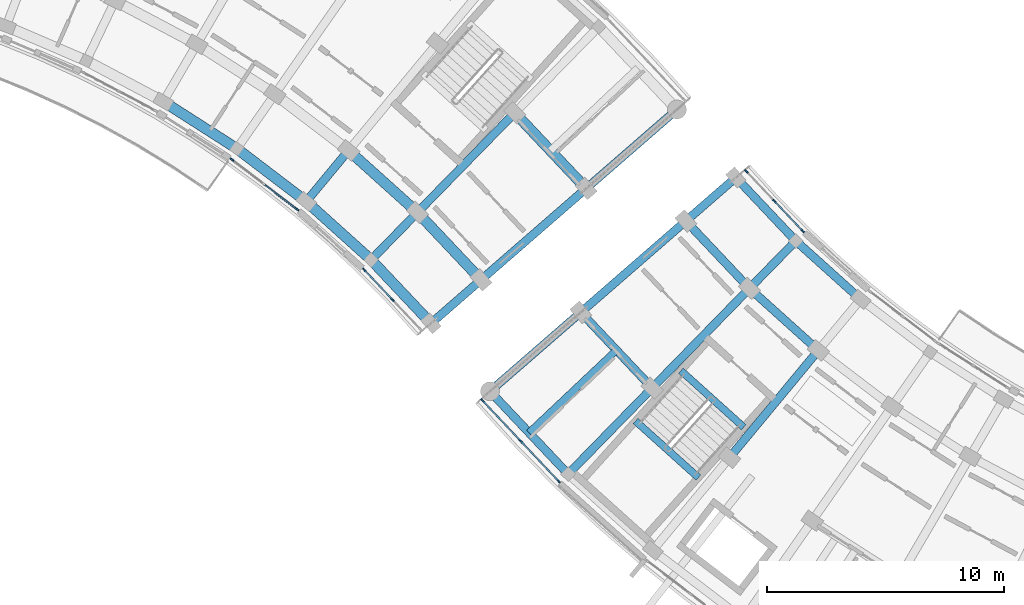
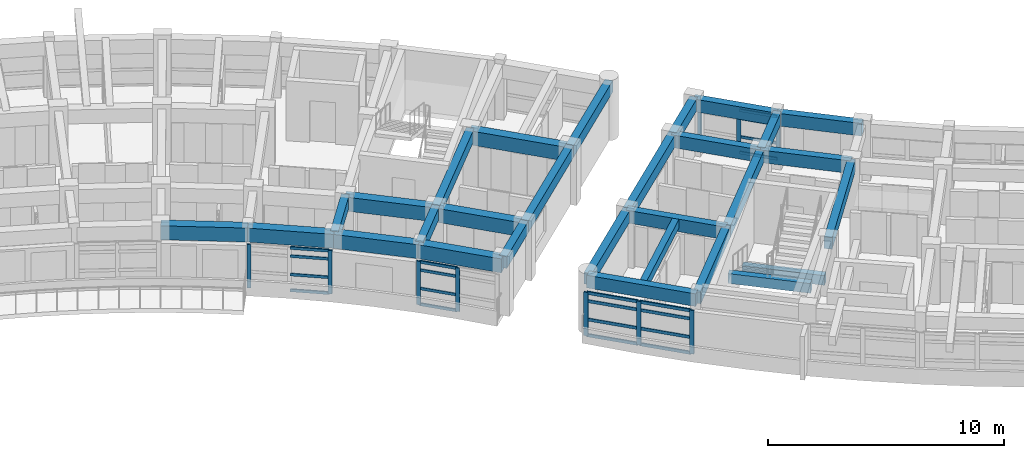
# One storey, part 10 of 56: 30 members, 29 beams, 4 elements without a shape of their own.
"""IFC4 building model written with IfcOpenShell, lengths in metres."""

import ifcopenshell
import ifcopenshell.guid

model = None  # the IFC model being written
_history = None  # IfcOwnerHistory: only IFC2X3 demands one
_inside = {}  # id of a spatial element -> (the spatial element, [elements in it])
_under = {}  # id of a project, library or spatial element -> (it, [spatial elements below it])
_declared = {}  # id of a project -> (the project, [libraries it declares])
_typed = {}  # id of a type object -> (the type object, [elements of that type])
_made_of = {}  # id of a material, layer set ... -> (it, [elements and type objects made of it])


def new_model(schema):
    """Start an empty IFC model of exactly this schema.

    Asked for "IFC4X3", IfcOpenShell would pick the latest addendum, in which some entities
    have other attributes; the version numbers below select the first issue.
    IFC2X3 requires an IfcOwnerHistory on every rooted entity: one is made here for all.
    """
    global model, _history
    if schema == "IFC4X3":
        model = ifcopenshell.file(schema_version=(4, 3, 0, 0))
    else:
        model = ifcopenshell.file(schema=schema)
    _inside.clear()
    _under.clear()
    _declared.clear()
    _typed.clear()
    _made_of.clear()
    _history = None
    if model.schema == "IFC2X3":
        org = make("IfcOrganization", Name="unknown")
        user = make(
            "IfcPersonAndOrganization",
            ThePerson=make("IfcPerson", FamilyName="unknown"),
            TheOrganization=org,
        )
        app = make(
            "IfcApplication",
            ApplicationDeveloper=org,
            Version="unknown",
            ApplicationFullName="unknown",
            ApplicationIdentifier="unknown",
        )
        _history = make(
            "IfcOwnerHistory",
            OwningUser=user,
            OwningApplication=app,
            ChangeAction="ADDED",
            CreationDate=0,
        )
    return model


def make(cls, **values):
    """One entity of the class cls with the attributes given. An attribute that is None is left unset."""
    return model.create_entity(
        cls, **{name: value for name, value in values.items() if value is not None}
    )


def rooted(cls, **values):
    """An entity with a GlobalId (a new one), such as an element, a storey or a relation."""
    return make(cls, GlobalId=ifcopenshell.guid.new(), OwnerHistory=_history, **values)


def si_unit(unit_type, name, prefix=None):
    """IfcSIUnit, for example si_unit("LENGTHUNIT", "METRE", prefix="MILLI")."""
    return make("IfcSIUnit", UnitType=unit_type, Prefix=prefix, Name=name)


def assignment(units):
    """IfcUnitAssignment: the units of a project."""
    return None if units is None else make("IfcUnitAssignment", Units=units)


def point(xyz):
    """IfcCartesianPoint."""
    return None if xyz is None else make("IfcCartesianPoint", Coordinates=xyz)


def direction(xyz):
    """IfcDirection."""
    return None if xyz is None else make("IfcDirection", DirectionRatios=xyz)


def frame(location, z_axis=None, x_axis=None):
    """IfcAxis2Placement3D, a coordinate frame: its origin and axes. An axis left out is left unset."""
    return make(
        "IfcAxis2Placement3D",
        Location=point(location),
        Axis=direction(z_axis),
        RefDirection=direction(x_axis),
    )


def frame_2d(location, x_axis=None):
    """IfcAxis2Placement2D, a coordinate frame in the plane: its origin and x axis."""
    return make(
        "IfcAxis2Placement2D", Location=point(location), RefDirection=direction(x_axis)
    )


def origin():
    """The frame at (0, 0, 0) with its axes left unset."""
    return frame((0.0, 0.0, 0.0))


def origin_2d():
    """The frame at (0, 0) in the plane with its x axis left unset."""
    return frame_2d((0.0, 0.0))


def place(relative_to, where):
    """IfcLocalPlacement: puts the frame where relative to a parent placement (None: the world)."""
    return make(
        "IfcLocalPlacement", PlacementRelTo=relative_to, RelativePlacement=where
    )


def context(
    kind, dimensions, precision=None, world=None, true_north=None, identifier=None
):
    """IfcGeometricRepresentationContext, for example the 3D "Model" context."""
    return make(
        "IfcGeometricRepresentationContext",
        ContextIdentifier=identifier,
        ContextType=kind,
        CoordinateSpaceDimension=dimensions,
        Precision=precision,
        WorldCoordinateSystem=world,
        TrueNorth=true_north,
    )


def subcontext(parent, identifier, kind, view, scale=None):
    """IfcGeometricRepresentationSubContext, for example "Body" below "Model"."""
    return make(
        "IfcGeometricRepresentationSubContext",
        ContextIdentifier=identifier,
        ContextType=kind,
        ParentContext=parent,
        TargetScale=scale,
        TargetView=view,
    )


def project(units=None, contexts=None):
    """IfcProject with its units and contexts."""
    return rooted(
        "IfcProject",
        Name="project",
        RepresentationContexts=contexts,
        UnitsInContext=assignment(units),
    )


def spatial(cls, under=None, at=None, **own):
    """A site, building, storey or space (cls), placed at a placement, below another one or the project."""
    s = rooted(cls, ObjectPlacement=at, **own)
    if under is not None:
        _under.setdefault(under.id(), (under, []))[1].append(s)
    return s


def profile(cls, at=None, kind="AREA", **sizes):
    """A parametric profile (cls). Its sizes go by their IFC names, for example OverallWidth=200.0."""
    return make(cls, ProfileType=kind, Position=at, **sizes)


def rectangle(**sizes):
    """IfcRectangleProfileDef."""
    return profile("IfcRectangleProfileDef", **sizes)


def extrude(swept, where, along, depth):
    """IfcExtrudedAreaSolid: the profile swept, set in the frame where, extruded along a direction by depth."""
    return make(
        "IfcExtrudedAreaSolid",
        SweptArea=swept,
        Position=where,
        ExtrudedDirection=direction(along),
        Depth=depth,
    )


def shape(context_of_items, identifier, shape_type, items):
    """IfcShapeRepresentation: the items that make up one representation, for example the "Body"."""
    return make(
        "IfcShapeRepresentation",
        ContextOfItems=context_of_items,
        RepresentationIdentifier=identifier,
        RepresentationType=shape_type,
        Items=items,
    )


def material(Name=None, Category=None):
    """IfcMaterial."""
    return make("IfcMaterial", Name=Name, Category=Category)


def material_profile(
    of_material, cross_section, Name=None, Category=None, Priority=None
):
    """IfcMaterialProfile: a cross section and its material."""
    return make(
        "IfcMaterialProfile",
        Name=Name,
        Material=of_material,
        Profile=cross_section,
        Priority=Priority,
        Category=Category,
    )


def profile_set(profiles, Name=None, composite=None):
    """IfcMaterialProfileSet."""
    return make(
        "IfcMaterialProfileSet",
        Name=Name,
        MaterialProfiles=profiles,
        CompositeProfile=composite,
    )


def made_of(thing, what):
    """Note that an element or type object is made of a material, layer set ...; save() writes the relation."""
    if what is not None:
        _made_of.setdefault(what.id(), (what, []))[1].append(thing)
    return thing


def type_object(cls, material=None, **own):
    """A type object (cls), such as IfcWallType, which elements share."""
    return made_of(rooted(cls, **own), material)


def element(
    cls,
    number,
    at=None,
    inside=None,
    cuts=None,
    type_object=None,
    material=None,
    context=None,
    identifier="Body",
    shape_type=None,
    held_by="IfcProductDefinitionShape",
    body=None,
    shapes=None,
    **own,
):
    """One element of the class cls, such as IfcWall. Its Tag is "e" and its number.

    at: its placement. inside: the storey or other place that contains it. cuts: it is an
    opening in that element (IfcRelVoidsElement). A single representation is given by context,
    identifier, shape_type and body (its items); several are given by shapes. held_by: the class
    of the entity that holds the representations. save() writes the other relations.
    """
    e = rooted(cls, Tag="e%d" % number, ObjectPlacement=at, **own)
    if body is not None:
        shapes = [shape(context, identifier, shape_type, body)]
    if shapes is not None:
        e.Representation = make(held_by, Representations=shapes)
    if inside is not None:
        _inside.setdefault(inside.id(), (inside, []))[1].append(e)
    if cuts is not None:
        rooted(
            "IfcRelVoidsElement", RelatingBuildingElement=cuts, RelatedOpeningElement=e
        )
    if type_object is not None:
        _typed.setdefault(type_object.id(), (type_object, []))[1].append(e)
    return made_of(e, material)


def aggregate(whole, parts):
    """IfcRelAggregates: a whole, such as a stair, and the parts it consists of."""
    return rooted("IfcRelAggregates", RelatingObject=whole, RelatedObjects=parts)


def save(model, path):
    """Write the relations noted so far, then the file.

    IfcRelAggregates (storeys below a building ...), IfcRelContainedInSpatialStructure (elements
    in a storey), IfcRelDefinesByType, IfcRelAssociatesMaterial and IfcRelDeclares: one each for
    every whole, place, type object, material and project.
    """
    for whole, parts in _under.values():
        aggregate(whole, parts)
    for where, things in _inside.values():
        rooted(
            "IfcRelContainedInSpatialStructure",
            RelatedElements=things,
            RelatingStructure=where,
        )
    for kind, things in _typed.values():
        rooted("IfcRelDefinesByType", RelatedObjects=things, RelatingType=kind)
    for what, things in _made_of.values():
        rooted("IfcRelAssociatesMaterial", RelatedObjects=things, RelatingMaterial=what)
    for by, libraries in _declared.values():
        rooted("IfcRelDeclares", RelatingContext=by, RelatedDefinitions=libraries)
    model.write(path)


model = new_model("IFC4")

# Units and contexts
model_context = context("Model", 3, precision=1e-05, world=origin(), true_north=direction((0.0, 1.0)))
body_context = subcontext(model_context, "Body", "Model", "MODEL_VIEW")
ifc_project = project(units=[si_unit("LENGTHUNIT", "METRE"), si_unit("AREAUNIT", "SQUARE_METRE"), si_unit("VOLUMEUNIT", "CUBIC_METRE"), si_unit("PLANEANGLEUNIT", "RADIAN"), si_unit("MASSUNIT", "GRAM", prefix="KILO")], contexts=[model_context])

# Site, building, storey
site_placement = place(None, origin())
site = spatial("IfcSite", under=ifc_project, at=site_placement, CompositionType="ELEMENT")
building_placement = place(site_placement, origin())
building = spatial("IfcBuilding", under=site, at=building_placement, Name="Zimvara Arc Housing Community", CompositionType="ELEMENT")
storey_placement = place(building_placement, frame((0.0, 0.0, 17.39990234375)))
storey = spatial("IfcBuildingStorey", under=building, at=storey_placement, Name="L05", CompositionType="ELEMENT", Elevation=17.39990234375)

# Beams
ifc_material_1 = material(Name="Concrete C40/50", Category="concrete")
ifc_material_profile_1 = material_profile(ifc_material_1, rectangle(XDim=0.300048828125, YDim=0.449951171875, at=origin_2d()), Name="RC 300x450")
ifc_profile_set_1 = profile_set([ifc_material_profile_1], Name="Concrete C40/50")
beam_type_1 = type_object("IfcBeamType", Name="BM-RC-300x450", PredefinedType="JOIST", material=ifc_profile_set_1)
beam_1_placement = place(storey_placement, frame((86.88427734375, 72.966552734375, 2.64501953125), z_axis=(-0.727299876429, -0.686319815936, 0.0), x_axis=(0.686319815936, -0.727299876429, 0.0)))
element("IfcBeam", 1, at=beam_1_placement, inside=storey, type_object=beam_type_1, Name="bm:blkC:L05:joist:b0", PredefinedType="JOIST", context=body_context, shape_type="SweptSolid", body=[
    extrude(rectangle(XDim=0.300048828125, YDim=0.449951171875, at=origin_2d()), origin(), (0.0, 0.0, 1.0), 5.075927734375),
])
ifc_material_2 = material(Name="Concrete C40/50", Category="concrete")
ifc_material_profile_2 = material_profile(ifc_material_2, rectangle(XDim=0.300048828125, YDim=0.5, at=origin_2d()), Name="RC 300x500")
ifc_profile_set_2 = profile_set([ifc_material_profile_2], Name="Concrete C40/50")
beam_type_2 = type_object("IfcBeamType", Name="BM-RC-300x500", PredefinedType="BEAM", material=ifc_profile_set_2)
beam_2_placement = place(storey_placement, frame((89.604248046875, 72.100830078125, -0.25), z_axis=(0.743396155404, -0.668851370732, 0.0), x_axis=(0.668851370732, 0.743396155404, 0.0)))
element("IfcBeam", 2, at=beam_2_placement, inside=storey, type_object=beam_type_2, Name="bm:stair_trim:ST-C1:L05:near", PredefinedType="BEAM", context=body_context, shape_type="SweptSolid", body=[
    extrude(rectangle(XDim=0.300048828125, YDim=0.5, at=origin_2d()), origin(), (0.0, 0.0, 1.0), 3.56982421875),
])
beam_3_placement = place(storey_placement, frame((87.68994140625, 69.973388671875, 1.300048828125), z_axis=(0.743362151162, -0.668889162881, 0.0), x_axis=(0.668889162881, 0.743362151162, 0.0)))
element("IfcBeam", 3, at=beam_3_placement, inside=storey, type_object=beam_type_2, Name="bm:stair_trim:ST-C1:L05:mid", PredefinedType="BEAM", context=body_context, shape_type="SweptSolid", body=[
    extrude(rectangle(XDim=0.300048828125, YDim=0.5, at=origin_2d()), origin(), (0.0, 0.0, 1.0), 3.570068359375),
])
ifc_material_3 = material(Name="Concrete C40/50", Category="concrete")
ifc_material_profile_3 = material_profile(ifc_material_3, rectangle(XDim=0.35009765625, YDim=0.60009765625, at=origin_2d()), Name="RC 350x600")
ifc_profile_set_3 = profile_set([ifc_material_profile_3], Name="Concrete C40/50")
beam_type_3 = type_object("IfcBeamType", Name="BM-RC-350x600", PredefinedType="BEAM", material=ifc_profile_set_3)
for number, where, z_axis, x_axis, name in (
    (4, (73.784912109375, 79.245361328125, 2.570068359375), (0.637917412223, 0.770104781951, 0.0), (-0.770104781951, 0.637917412223, 0.0), "bm:blkB:L05:rad:b8:r01"),
    (5, (76.523681640625, 76.781005859375, 2.570068359375), (0.698643013894, 0.71547043205, 0.0), (-0.71547043205, 0.698643013894, 0.0), "bm:blkB:L05:rad:b9:r01"),
):
    element("IfcBeam", number, at=place(storey_placement, frame(where, z_axis=z_axis, x_axis=x_axis)), inside=storey, type_object=beam_type_3, Name=name, PredefinedType="BEAM", context=body_context, shape_type="SweptSolid", body=[
        extrude(rectangle(XDim=0.35009765625, YDim=0.60009765625, at=origin_2d()), origin(), (0.0, 0.0, 1.0), 2.800048828125),
    ])
beam_4_placement = place(storey_placement, frame((78.47998046875, 78.784423828125, 2.570068359375), z_axis=(0.698669844288, 0.715444231707, 0.0), x_axis=(-0.715444231707, 0.698669844288, 0.0)))
element("IfcBeam", 6, at=beam_4_placement, inside=storey, type_object=beam_type_3, Name="bm:blkB:L05:rad:b9:r12", PredefinedType="BEAM", context=body_context, shape_type="SweptSolid", body=[
    extrude(rectangle(XDim=0.35009765625, YDim=0.60009765625, at=origin_2d()), origin(), (0.0, 0.0, 1.0), 5.8798828125),
])
beam_5_placement = place(storey_placement, frame((79.052490234375, 74.101318359375, 2.570068359375), z_axis=(0.754733151583, 0.656031912259, 0.0), x_axis=(-0.656031912259, 0.754733151583, 0.0)))
element("IfcBeam", 7, at=beam_5_placement, inside=storey, type_object=beam_type_3, Name="bm:blkB:L05:rad:b10:r01", PredefinedType="BEAM", context=body_context, shape_type="SweptSolid", body=[
    extrude(rectangle(XDim=0.35009765625, YDim=0.60009765625, at=origin_2d()), origin(), (0.0, 0.0, 1.0), 2.800048828125),
])
beam_6_placement = place(storey_placement, frame((81.165771484375, 75.938232421875, 2.570068359375), z_axis=(0.754692223258, 0.656078995362, 0.0), x_axis=(-0.656078995362, 0.754692223258, 0.0)))
element("IfcBeam", 8, at=beam_6_placement, inside=storey, type_object=beam_type_3, Name="bm:blkB:L05:rad:b10:r12", PredefinedType="BEAM", context=body_context, shape_type="SweptSolid", body=[
    extrude(rectangle(XDim=0.35009765625, YDim=0.60009765625, at=origin_2d()), origin(), (0.0, 0.0, 1.0), 5.8798828125),
])
beam_7_placement = place(storey_placement, frame((85.603271484375, 79.7958984375, 2.570068359375), z_axis=(0.754716217499, 0.656051393599, 0.0), x_axis=(-0.656051393599, 0.754716217499, 0.0)))
element("IfcBeam", 9, at=beam_7_placement, inside=storey, type_object=beam_type_3, Name="bm:blkB:L05:rad:b10:r23", PredefinedType="BEAM", context=body_context, shape_type="SweptSolid", body=[
    extrude(rectangle(XDim=0.35009765625, YDim=0.60009765625, at=origin_2d()), origin(), (0.0, 0.0, 1.0), 5.080078125),
])
beam_8_placement = place(storey_placement, frame((91.927490234375, 80.258544921875, 2.570068359375), z_axis=(-0.754733151583, -0.656031912259, 0.0), x_axis=(0.656031912259, -0.754733151583, 0.0)))
element("IfcBeam", 10, at=beam_8_placement, inside=storey, type_object=beam_type_3, Name="bm:blkC:L05:rad:b0:r01", PredefinedType="BEAM", context=body_context, shape_type="SweptSolid", body=[
    extrude(rectangle(XDim=0.35009765625, YDim=0.60009765625, at=origin_2d()), origin(), (0.0, 0.0, 1.0), 2.800048828125),
])
beam_9_placement = place(storey_placement, frame((89.814208984375, 78.421630859375, 2.570068359375), z_axis=(-0.754692223258, -0.656078995362, 0.0), x_axis=(0.656078995362, -0.754692223258, 0.0)))
element("IfcBeam", 11, at=beam_9_placement, inside=storey, type_object=beam_type_3, Name="bm:blkC:L05:rad:b0:r12", PredefinedType="BEAM", context=body_context, shape_type="SweptSolid", body=[
    extrude(rectangle(XDim=0.35009765625, YDim=0.60009765625, at=origin_2d()), origin(), (0.0, 0.0, 1.0), 5.8798828125),
])
beam_10_placement = place(storey_placement, frame((85.376708984375, 74.56396484375, 2.570068359375), z_axis=(-0.754716217499, -0.656051393599, 0.0), x_axis=(0.656051393599, -0.754716217499, 0.0)))
element("IfcBeam", 12, at=beam_10_placement, inside=storey, type_object=beam_type_3, Name="bm:blkC:L05:rad:b0:r23", PredefinedType="BEAM", context=body_context, shape_type="SweptSolid", body=[
    extrude(rectangle(XDim=0.35009765625, YDim=0.60009765625, at=origin_2d()), origin(), (0.0, 0.0, 1.0), 5.080078125),
])
beam_11_placement = place(storey_placement, frame((94.456298828125, 77.578857421875, 2.570068359375), z_axis=(-0.69868659732, -0.715427871085, 0.0), x_axis=(0.715427871085, -0.69868659732, 0.0)))
element("IfcBeam", 13, at=beam_11_placement, inside=storey, type_object=beam_type_3, Name="bm:blkC:L05:rad:b1:r01", PredefinedType="BEAM", context=body_context, shape_type="SweptSolid", body=[
    extrude(rectangle(XDim=0.35009765625, YDim=0.60009765625, at=origin_2d()), origin(), (0.0, 0.0, 1.0), 2.800048828125),
])
beam_12_placement = place(storey_placement, frame((92.5, 75.57568359375, 2.570068359375), z_axis=(-0.698669844288, -0.715444231707, 0.0), x_axis=(0.715444231707, -0.698669844288, 0.0)))
element("IfcBeam", 14, at=beam_12_placement, inside=storey, type_object=beam_type_3, Name="bm:blkC:L05:rad:b1:r12", PredefinedType="BEAM", context=body_context, shape_type="SweptSolid", body=[
    extrude(rectangle(XDim=0.35009765625, YDim=0.60009765625, at=origin_2d()), origin(), (0.0, 0.0, 1.0), 5.8798828125),
])
beam_13_placement = place(storey_placement, frame((88.391845703125, 71.368896484375, 2.570068359375), z_axis=(-0.698670885014, -0.71544321538, 0.0), x_axis=(0.71544321538, -0.698670885014, 0.0)))
element("IfcBeam", 15, at=beam_13_placement, inside=storey, type_object=beam_type_3, Name="bm:blkC:L05:rad:b1:r23", PredefinedType="BEAM", context=body_context, shape_type="SweptSolid", body=[
    extrude(rectangle(XDim=0.35009765625, YDim=0.60009765625, at=origin_2d()), origin(), (0.0, 0.0, 1.0), 5.080078125),
])
beam_14_placement = place(storey_placement, frame((95.408935546875, 72.958251953125, 2.570068359375), z_axis=(-0.637976362518, -0.770055946583, 0.0), x_axis=(0.770055946583, -0.637976362518, 0.0)))
element("IfcBeam", 16, at=beam_14_placement, inside=storey, type_object=beam_type_3, Name="bm:blkC:L05:rad:b2:r12", PredefinedType="BEAM", context=body_context, shape_type="SweptSolid", body=[
    extrude(rectangle(XDim=0.35009765625, YDim=0.60009765625, at=origin_2d()), origin(), (0.0, 0.0, 1.0), 5.8798828125),
])
ifc_material_4 = material(Name="Concrete C40/50", Category="concrete")
ifc_material_profile_4 = material_profile(ifc_material_4, rectangle(XDim=0.35009765625, YDim=0.64990234375, at=origin_2d()), Name="RC 350x650")
ifc_profile_set_4 = profile_set([ifc_material_profile_4], Name="Concrete C40/50")
beam_type_4 = type_object("IfcBeamType", Name="BM-RC-350x650", PredefinedType="BEAM", material=ifc_profile_set_4)
beam_15_placement = place(storey_placement, frame((91.927490234375, 80.258544921875, 2.545166015625), z_axis=(0.686335517678, -0.727285059088, 0.0), x_axis=(0.727285059088, 0.686335517678, 0.0)))
element("IfcBeam", 17, at=beam_15_placement, inside=storey, type_object=beam_type_4, Name="bm:blkC:L05:chord:r0:b0", PredefinedType="BEAM", context=body_context, shape_type="SweptSolid", body=[
    extrude(rectangle(XDim=0.35009765625, YDim=0.64990234375, at=origin_2d()), origin(), (0.0, 0.0, 1.0), 3.6845703125),
])
beam_16_placement = place(storey_placement, frame((94.456298828125, 77.578857421875, 2.545166015625), z_axis=(0.743366631239, -0.668884183966, 0.0), x_axis=(0.668884183966, 0.743366631239, 0.0)))
element("IfcBeam", 18, at=beam_16_placement, inside=storey, type_object=beam_type_4, Name="bm:blkC:L05:chord:r0:b1", PredefinedType="BEAM", context=body_context, shape_type="SweptSolid", body=[
    extrude(rectangle(XDim=0.35009765625, YDim=0.64990234375, at=origin_2d()), origin(), (0.0, 0.0, 1.0), 3.684326171875),
])
for number, where, z_axis, x_axis, name in (
    (19, (89.814208984375, 78.421630859375, 2.545166015625), (0.686346852505, -0.727274362299, 0.0), (0.727274362299, 0.686346852505, 0.0), "bm:blkC:L05:chord:r1:b0"),
    (20, (92.5, 75.57568359375, 2.545166015625), (0.743371697344, -0.668878553691, 0.0), (0.668878553691, 0.743371697344, 0.0), "bm:blkC:L05:chord:r1:b1"),
):
    element("IfcBeam", number, at=place(storey_placement, frame(where, z_axis=z_axis, x_axis=x_axis)), inside=storey, type_object=beam_type_4, Name=name, PredefinedType="BEAM", context=body_context, shape_type="SweptSolid", body=[
        extrude(rectangle(XDim=0.35009765625, YDim=0.64990234375, at=origin_2d()), origin(), (0.0, 0.0, 1.0), 3.9130859375),
    ])
beam_17_placement = place(storey_placement, frame((85.376708984375, 74.56396484375, 2.545166015625), z_axis=(0.686331377274, -0.727288966347, 0.0), x_axis=(0.727288966347, 0.686331377274, 0.0)))
element("IfcBeam", 21, at=beam_17_placement, inside=storey, type_object=beam_type_4, Name="bm:blkC:L05:chord:r2:b0", PredefinedType="BEAM", context=body_context, shape_type="SweptSolid", body=[
    extrude(rectangle(XDim=0.35009765625, YDim=0.64990234375, at=origin_2d()), origin(), (0.0, 0.0, 1.0), 4.39306640625),
])
beam_18_placement = place(storey_placement, frame((81.542724609375, 71.231201171875, 2.545166015625), z_axis=(0.686320791145, -0.727298956168, 0.0), x_axis=(0.727298956168, 0.686320791145, 0.0)))
element("IfcBeam", 22, at=beam_18_placement, inside=storey, type_object=beam_type_4, Name="bm:blkC:L05:chord:r3:b0", PredefinedType="BEAM", context=body_context, shape_type="SweptSolid", body=[
    extrude(rectangle(XDim=0.35009765625, YDim=0.64990234375, at=origin_2d()), origin(), (0.0, 0.0, 1.0), 4.807861328125),
])
ifc_material_5 = material(Name="Concrete C40/50", Category="concrete")
ifc_material_profile_5 = material_profile(ifc_material_5, rectangle(XDim=0.43994140625, YDim=0.719970703125, at=origin_2d()), Name="RC 440x720")
ifc_profile_set_5 = profile_set([ifc_material_profile_5], Name="Concrete C40/50")
beam_type_5 = type_object("IfcBeamType", Name="BM-RC-440x720", PredefinedType="BEAM", material=ifc_profile_set_5)
beam_19_placement = place(storey_placement, frame((67.750732421875, 83.46435546875, 2.510009765625), z_axis=(0.842272604079, -0.539051816079, 0.0), x_axis=(0.539051816079, 0.842272604079, 0.0)))
element("IfcBeam", 23, at=beam_19_placement, inside=storey, type_object=beam_type_5, Name="bm:blkB:L05:chord:r0:b6", PredefinedType="BEAM", context=body_context, shape_type="SweptSolid", body=[
    extrude(rectangle(XDim=0.43994140625, YDim=0.719970703125, at=origin_2d()), origin(), (0.0, 0.0, 1.0), 3.684326171875),
])
beam_20_placement = place(storey_placement, frame((70.85400390625, 81.478271484375, 2.510009765625), z_axis=(0.795453014049, -0.606015265847, 0.0), x_axis=(0.606015265847, 0.795453014049, 0.0)))
element("IfcBeam", 24, at=beam_20_placement, inside=storey, type_object=beam_type_5, Name="bm:blkB:L05:chord:r0:b7", PredefinedType="BEAM", context=body_context, shape_type="SweptSolid", body=[
    extrude(rectangle(XDim=0.43994140625, YDim=0.719970703125, at=origin_2d()), origin(), (0.0, 0.0, 1.0), 3.6845703125),
])
beam_21_placement = place(storey_placement, frame((73.784912109375, 79.245361328125, 2.510009765625), z_axis=(0.743366631239, -0.668884183966, 0.0), x_axis=(0.668884183966, 0.743366631239, 0.0)))
element("IfcBeam", 25, at=beam_21_placement, inside=storey, type_object=beam_type_5, Name="bm:blkB:L05:chord:r0:b8", PredefinedType="BEAM", context=body_context, shape_type="SweptSolid", body=[
    extrude(rectangle(XDim=0.43994140625, YDim=0.719970703125, at=origin_2d()), origin(), (0.0, 0.0, 1.0), 3.684326171875),
])
beam_22_placement = place(storey_placement, frame((76.523681640625, 76.781005859375, 2.510009765625), z_axis=(0.686335517678, -0.727285059088, 0.0), x_axis=(0.727285059088, 0.686335517678, 0.0)))
element("IfcBeam", 26, at=beam_22_placement, inside=storey, type_object=beam_type_5, Name="bm:blkB:L05:chord:r0:b9", PredefinedType="BEAM", context=body_context, shape_type="SweptSolid", body=[
    extrude(rectangle(XDim=0.43994140625, YDim=0.719970703125, at=origin_2d()), origin(), (0.0, 0.0, 1.0), 3.6845703125),
])
beam_23_placement = place(storey_placement, frame((75.571044921875, 81.401611328125, 2.510009765625), z_axis=(0.743402719516, -0.668844074965, 0.0), x_axis=(0.668844074965, 0.743402719516, 0.0)))
element("IfcBeam", 27, at=beam_23_placement, inside=storey, type_object=beam_type_5, Name="bm:blkB:L05:chord:r1:b8", PredefinedType="BEAM", context=body_context, shape_type="SweptSolid", body=[
    extrude(rectangle(XDim=0.43994140625, YDim=0.719970703125, at=origin_2d()), origin(), (0.0, 0.0, 1.0), 3.9130859375),
])
beam_24_placement = place(storey_placement, frame((78.47998046875, 78.784423828125, 2.510009765625), z_axis=(0.686315710793, -0.727303750243, 0.0), x_axis=(0.727303750243, 0.686315710793, 0.0)))
element("IfcBeam", 28, at=beam_24_placement, inside=storey, type_object=beam_type_5, Name="bm:blkB:L05:chord:r1:b9", PredefinedType="BEAM", context=body_context, shape_type="SweptSolid", body=[
    extrude(rectangle(XDim=0.43994140625, YDim=0.719970703125, at=origin_2d()), origin(), (0.0, 0.0, 1.0), 3.913330078125),
])
beam_25_placement = place(storey_placement, frame((82.588134765625, 82.9912109375, 2.510009765625), z_axis=(0.686303637813, -0.727315142648, 0.0), x_axis=(0.727315142648, 0.686303637813, 0.0)))
element("IfcBeam", 29, at=beam_25_placement, inside=storey, type_object=beam_type_5, Name="bm:blkB:L05:chord:r2:b9", PredefinedType="BEAM", context=body_context, shape_type="SweptSolid", body=[
    extrude(rectangle(XDim=0.43994140625, YDim=0.719970703125, at=origin_2d()), origin(), (0.0, 0.0, 1.0), 4.393310546875),
])

# Curtain wall, members
ifc_material_6 = material(Name="Anodised Aluminium AW-6063", Category="aluminium")
curtain_wall_type_1 = type_object("IfcCurtainWallType", Name="CW-SYS-06", PredefinedType="USERDEFINED", material=ifc_material_6)
curtain_wall_1_placement = place(storey_placement, origin())
curtain_wall_1 = element("IfcCurtainWall", 30, at=curtain_wall_1_placement, inside=storey, type_object=curtain_wall_type_1, Name="cw:blkB:L05:in:b7", ObjectType="CURTAIN WALL", PredefinedType="USERDEFINED")
ifc_material_7 = material(Name="Anodised Aluminium AW-6063", Category="aluminium")
ifc_material_profile_6 = material_profile(ifc_material_7, rectangle(XDim=0.06494140625, YDim=0.179931640625, at=origin_2d()), Name="ALU 65x180")
ifc_profile_set_6 = profile_set([ifc_material_profile_6], Name="Anodised Aluminium AW-6063")
member_type_1 = type_object("IfcMemberType", Name="CWM-65x150", PredefinedType="MULLION", material=ifc_profile_set_6)
member_1_placement = place(storey_placement, frame((70.64111328125, 81.012451171875, 0.0), z_axis=(0.0, 0.0, 1.0), x_axis=(0.605988318533, 0.795473543119, 0.0)))
member_1 = element("IfcMember", 31, at=member_1_placement, type_object=member_type_1, Name="CW06 mullion 1", PredefinedType="MULLION", context=body_context, shape_type="SweptSolid", body=[
    extrude(rectangle(XDim=0.06494140625, YDim=0.179931640625, at=origin_2d()), origin(), (0.0, 0.0, 1.0), 2.25),
])
member_2_placement = place(storey_placement, frame((73.392333984375, 78.91650390625, 0.0), z_axis=(0.0, 0.0, 1.0), x_axis=(0.605988318533, 0.795473543119, 0.0)))
member_2 = element("IfcMember", 32, at=member_2_placement, type_object=member_type_1, Name="CW06 mullion 3", PredefinedType="MULLION", context=body_context, shape_type="SweptSolid", body=[
    extrude(rectangle(XDim=0.06494140625, YDim=0.179931640625, at=origin_2d()), origin(), (0.0, 0.0, 1.0), 2.25),
])

ifc_material_8 = material(Name="Anodised Aluminium AW-6063", Category="aluminium")
curtain_wall_type_2 = type_object("IfcCurtainWallType", Name="CW-SYS-08", PredefinedType="USERDEFINED", material=ifc_material_8)
curtain_wall_2_placement = place(storey_placement, origin())
curtain_wall_2 = element("IfcCurtainWall", 33, at=curtain_wall_2_placement, inside=storey, type_object=curtain_wall_type_2, Name="cw:blkB:L05:in:b9", ObjectType="CURTAIN WALL", PredefinedType="USERDEFINED")
member_3_placement = place(storey_placement, frame((76.238037109375, 76.35595703125, 0.0), z_axis=(0.0, 0.0, 1.0), x_axis=(0.727293280483, 0.686326805658, 0.0)))
member_3 = element("IfcMember", 34, at=member_3_placement, type_object=member_type_1, Name="CW08 mullion 1", PredefinedType="MULLION", context=body_context, shape_type="SweptSolid", body=[
    extrude(rectangle(XDim=0.06494140625, YDim=0.179931640625, at=origin_2d()), origin(), (0.0, 0.0, 1.0), 2.25),
])
member_4_placement = place(storey_placement, frame((77.4248046875, 75.098388671875, 0.0), z_axis=(0.0, 0.0, 1.0), x_axis=(0.727293280483, 0.686326805658, 0.0)))
member_4 = element("IfcMember", 35, at=member_4_placement, type_object=member_type_1, Name="CW08 mullion 2", PredefinedType="MULLION", context=body_context, shape_type="SweptSolid", body=[
    extrude(rectangle(XDim=0.06494140625, YDim=0.179931640625, at=origin_2d()), origin(), (0.0, 0.0, 1.0), 2.25),
])

curtain_wall_3_placement = place(storey_placement, origin())
curtain_wall_3 = element("IfcCurtainWall", 36, at=curtain_wall_3_placement, inside=storey, type_object=curtain_wall_type_2, Name="cw:blkC:L05:in:b0", ObjectType="CURTAIN WALL", PredefinedType="USERDEFINED")
member_5_placement = place(storey_placement, frame((92.368408203125, 80.519287109375, 0.0), z_axis=(0.0, 0.0, 1.0), x_axis=(0.727293280483, 0.686326805658, 0.0)))
member_5 = element("IfcMember", 37, at=member_5_placement, type_object=member_type_1, Name="CW08 mullion 1", PredefinedType="MULLION", context=body_context, shape_type="SweptSolid", body=[
    extrude(rectangle(XDim=0.06494140625, YDim=0.179931640625, at=origin_2d()), origin(), (0.0, 0.0, 1.0), 2.25),
])
member_6_placement = place(storey_placement, frame((93.55517578125, 79.26171875, 0.0), z_axis=(0.0, 0.0, 1.0), x_axis=(0.727293280483, 0.686326805658, 0.0)))
member_6 = element("IfcMember", 38, at=member_6_placement, type_object=member_type_1, Name="CW08 mullion 2", PredefinedType="MULLION", context=body_context, shape_type="SweptSolid", body=[
    extrude(rectangle(XDim=0.06494140625, YDim=0.179931640625, at=origin_2d()), origin(), (0.0, 0.0, 1.0), 2.25),
])
member_7_placement = place(storey_placement, frame((94.7421875, 78.00390625, 0.0), z_axis=(0.0, 0.0, 1.0), x_axis=(0.727293280483, 0.686326805658, 0.0)))
member_7 = element("IfcMember", 39, at=member_7_placement, type_object=member_type_1, Name="CW08 mullion 3", PredefinedType="MULLION", context=body_context, shape_type="SweptSolid", body=[
    extrude(rectangle(XDim=0.06494140625, YDim=0.179931640625, at=origin_2d()), origin(), (0.0, 0.0, 1.0), 2.25),
])

ifc_material_9 = material(Name="Anodised Aluminium AW-6063", Category="aluminium")
curtain_wall_type_3 = type_object("IfcCurtainWallType", Name="CW-SYS-07", PredefinedType="USERDEFINED", material=ifc_material_9)
curtain_wall_4_placement = place(storey_placement, origin())
curtain_wall_4 = element("IfcCurtainWall", 40, at=curtain_wall_4_placement, inside=storey, type_object=curtain_wall_type_3, Name="cw:blkC:L05:out:b0", ObjectType="CURTAIN WALL", PredefinedType="USERDEFINED")
ifc_material_10 = material(Name="Anodised Aluminium AW-6063", Category="aluminium")
ifc_material_profile_7 = material_profile(ifc_material_10, rectangle(XDim=0.06494140625, YDim=0.195068359375, at=origin_2d()), Name="ALU 65x195")
ifc_profile_set_7 = profile_set([ifc_material_profile_7], Name="Anodised Aluminium AW-6063")
member_type_2 = type_object("IfcMemberType", Name="CWM-65x180", PredefinedType="MULLION", material=ifc_profile_set_7)
member_8_placement = place(storey_placement, frame((81.228759765625, 70.8359375, 0.0), z_axis=(0.0, 0.0, 1.0), x_axis=(0.727293647725, 0.686326416495, 0.0)))
member_8 = element("IfcMember", 41, at=member_8_placement, type_object=member_type_2, Name="CW07 mullion 1", PredefinedType="MULLION", context=body_context, shape_type="SweptSolid", body=[
    extrude(rectangle(XDim=0.06494140625, YDim=0.195068359375, at=origin_2d()), origin(), (0.0, 0.0, 1.0), 2.25),
])
member_9_placement = place(storey_placement, frame((82.829345703125, 69.139892578125, 0.0), z_axis=(0.0, 0.0, 1.0), x_axis=(0.727293647725, 0.686326416495, 0.0)))
member_9 = element("IfcMember", 42, at=member_9_placement, type_object=member_type_2, Name="CW07 mullion 2", PredefinedType="MULLION", context=body_context, shape_type="SweptSolid", body=[
    extrude(rectangle(XDim=0.06494140625, YDim=0.195068359375, at=origin_2d()), origin(), (0.0, 0.0, 1.0), 2.25),
])
member_10_placement = place(storey_placement, frame((84.4296875, 67.44384765625, 0.0), z_axis=(0.0, 0.0, 1.0), x_axis=(0.727293647725, 0.686326416495, 0.0)))
member_10 = element("IfcMember", 43, at=member_10_placement, type_object=member_type_2, Name="CW07 mullion 3", PredefinedType="MULLION", context=body_context, shape_type="SweptSolid", body=[
    extrude(rectangle(XDim=0.06494140625, YDim=0.195068359375, at=origin_2d()), origin(), (0.0, 0.0, 1.0), 2.25),
])

# Member
ifc_material_11 = material(Name="Anodised Aluminium AW-6063", Category="aluminium")
ifc_material_profile_8 = material_profile(ifc_material_11, rectangle(XDim=0.06494140625, YDim=0.139892578125, at=origin_2d()), Name="ALU 65x140")
ifc_profile_set_8 = profile_set([ifc_material_profile_8], Name="Anodised Aluminium AW-6063")
member_type_3 = type_object("IfcMemberType", Name="CWT-65x120", PredefinedType="USERDEFINED", material=ifc_profile_set_8)
member_11_placement = place(storey_placement, frame((72.04248046875, 79.94482421875, 0.03271484375), z_axis=(0.795488960577, -0.605968079687, 0.0), x_axis=(0.605968079687, 0.795488960577, 0.0)))
member_11 = element("IfcMember", 44, at=member_11_placement, type_object=member_type_3, Name="CW06 transom 2.1", ObjectType="TRANSOM", PredefinedType="USERDEFINED", context=body_context, shape_type="SweptSolid", body=[
    extrude(rectangle(XDim=0.06494140625, YDim=0.139892578125, at=origin_2d()), origin(), (0.0, 0.0, 1.0), 1.664306640625),
])

member_12_placement = place(storey_placement, frame((72.04248046875, 79.94482421875, 0.85009765625), z_axis=(0.795488960577, -0.605968079687, 0.0), x_axis=(0.605968079687, 0.795488960577, 0.0)))
member_12 = element("IfcMember", 45, at=member_12_placement, type_object=member_type_3, Name="CW06 transom 2.2", ObjectType="TRANSOM", PredefinedType="USERDEFINED", context=body_context, shape_type="SweptSolid", body=[
    extrude(rectangle(XDim=0.06494140625, YDim=0.139892578125, at=origin_2d()), origin(), (0.0, 0.0, 1.0), 1.664306640625),
])

member_13_placement = place(storey_placement, frame((72.04248046875, 79.94482421875, 1.800048828125), z_axis=(0.795488960577, -0.605968079687, 0.0), x_axis=(0.605968079687, 0.795488960577, 0.0)))
member_13 = element("IfcMember", 46, at=member_13_placement, type_object=member_type_3, Name="CW06 transom 2.3", ObjectType="TRANSOM", PredefinedType="USERDEFINED", context=body_context, shape_type="SweptSolid", body=[
    extrude(rectangle(XDim=0.06494140625, YDim=0.139892578125, at=origin_2d()), origin(), (0.0, 0.0, 1.0), 1.664306640625),
])

member_14_placement = place(storey_placement, frame((72.04248046875, 79.94482421875, 2.217529296875), z_axis=(0.795488960577, -0.605968079687, 0.0), x_axis=(0.605968079687, 0.795488960577, 0.0)))
member_14 = element("IfcMember", 47, at=member_14_placement, type_object=member_type_3, Name="CW06 transom 2.4", ObjectType="TRANSOM", PredefinedType="USERDEFINED", context=body_context, shape_type="SweptSolid", body=[
    extrude(rectangle(XDim=0.06494140625, YDim=0.139892578125, at=origin_2d()), origin(), (0.0, 0.0, 1.0), 1.664306640625),
])

aggregate(curtain_wall_1, [member_1, member_2, member_11, member_12, member_13, member_14])

member_15_placement = place(storey_placement, frame((76.26025390625, 76.33251953125, 0.03271484375), z_axis=(0.686347817597, -0.727273451516, 0.0), x_axis=(0.727273451516, 0.686347817597, 0.0)))
member_15 = element("IfcMember", 48, at=member_15_placement, type_object=member_type_3, Name="CW08 transom 1.1", ObjectType="TRANSOM", PredefinedType="USERDEFINED", context=body_context, shape_type="SweptSolid", body=[
    extrude(rectangle(XDim=0.06494140625, YDim=0.139892578125, at=origin_2d()), origin(), (0.0, 0.0, 1.0), 1.664306640625),
])

member_16_placement = place(storey_placement, frame((76.26025390625, 76.33251953125, 0.85009765625), z_axis=(0.686347817597, -0.727273451516, 0.0), x_axis=(0.727273451516, 0.686347817597, 0.0)))
member_16 = element("IfcMember", 49, at=member_16_placement, type_object=member_type_3, Name="CW08 transom 1.2", ObjectType="TRANSOM", PredefinedType="USERDEFINED", context=body_context, shape_type="SweptSolid", body=[
    extrude(rectangle(XDim=0.06494140625, YDim=0.139892578125, at=origin_2d()), origin(), (0.0, 0.0, 1.0), 1.664306640625),
])

member_17_placement = place(storey_placement, frame((76.26025390625, 76.33251953125, 1.800048828125), z_axis=(0.686347817597, -0.727273451516, 0.0), x_axis=(0.727273451516, 0.686347817597, 0.0)))
member_17 = element("IfcMember", 50, at=member_17_placement, type_object=member_type_3, Name="CW08 transom 1.3", ObjectType="TRANSOM", PredefinedType="USERDEFINED", context=body_context, shape_type="SweptSolid", body=[
    extrude(rectangle(XDim=0.06494140625, YDim=0.139892578125, at=origin_2d()), origin(), (0.0, 0.0, 1.0), 1.664306640625),
])

member_18_placement = place(storey_placement, frame((76.26025390625, 76.33251953125, 2.217529296875), z_axis=(0.686347817597, -0.727273451516, 0.0), x_axis=(0.727273451516, 0.686347817597, 0.0)))
member_18 = element("IfcMember", 51, at=member_18_placement, type_object=member_type_3, Name="CW08 transom 1.4", ObjectType="TRANSOM", PredefinedType="USERDEFINED", context=body_context, shape_type="SweptSolid", body=[
    extrude(rectangle(XDim=0.06494140625, YDim=0.139892578125, at=origin_2d()), origin(), (0.0, 0.0, 1.0), 1.664306640625),
])

aggregate(curtain_wall_2, [member_3, member_4, member_15, member_16, member_17, member_18])

member_19_placement = place(storey_placement, frame((93.57763671875, 79.238037109375, 0.03271484375), z_axis=(0.686270219286, -0.727346675335, 0.0), x_axis=(0.727346675335, 0.686270219286, 0.0)))
member_19 = element("IfcMember", 52, at=member_19_placement, type_object=member_type_3, Name="CW08 transom 2.1", ObjectType="TRANSOM", PredefinedType="USERDEFINED", context=body_context, shape_type="SweptSolid", body=[
    extrude(rectangle(XDim=0.06494140625, YDim=0.139892578125, at=origin_2d()), origin(), (0.0, 0.0, 1.0), 1.664306640625),
])

member_20_placement = place(storey_placement, frame((93.57763671875, 79.238037109375, 0.85009765625), z_axis=(0.686270219286, -0.727346675335, 0.0), x_axis=(0.727346675335, 0.686270219286, 0.0)))
member_20 = element("IfcMember", 53, at=member_20_placement, type_object=member_type_3, Name="CW08 transom 2.2", ObjectType="TRANSOM", PredefinedType="USERDEFINED", context=body_context, shape_type="SweptSolid", body=[
    extrude(rectangle(XDim=0.06494140625, YDim=0.139892578125, at=origin_2d()), origin(), (0.0, 0.0, 1.0), 1.664306640625),
])

member_21_placement = place(storey_placement, frame((93.57763671875, 79.238037109375, 1.800048828125), z_axis=(0.686270219286, -0.727346675335, 0.0), x_axis=(0.727346675335, 0.686270219286, 0.0)))
member_21 = element("IfcMember", 54, at=member_21_placement, type_object=member_type_3, Name="CW08 transom 2.3", ObjectType="TRANSOM", PredefinedType="USERDEFINED", context=body_context, shape_type="SweptSolid", body=[
    extrude(rectangle(XDim=0.06494140625, YDim=0.139892578125, at=origin_2d()), origin(), (0.0, 0.0, 1.0), 1.664306640625),
])

member_22_placement = place(storey_placement, frame((93.57763671875, 79.238037109375, 2.217529296875), z_axis=(0.686270219286, -0.727346675335, 0.0), x_axis=(0.727346675335, 0.686270219286, 0.0)))
member_22 = element("IfcMember", 55, at=member_22_placement, type_object=member_type_3, Name="CW08 transom 2.4", ObjectType="TRANSOM", PredefinedType="USERDEFINED", context=body_context, shape_type="SweptSolid", body=[
    extrude(rectangle(XDim=0.06494140625, YDim=0.139892578125, at=origin_2d()), origin(), (0.0, 0.0, 1.0), 1.664306640625),
])

aggregate(curtain_wall_3, [member_5, member_6, member_7, member_19, member_20, member_21, member_22])

ifc_material_12 = material(Name="Anodised Aluminium AW-6063", Category="aluminium")
ifc_material_profile_9 = material_profile(ifc_material_12, rectangle(XDim=0.06494140625, YDim=0.155029296875, at=origin_2d()), Name="ALU 65x155")
ifc_profile_set_9 = profile_set([ifc_material_profile_9], Name="Anodised Aluminium AW-6063")
member_type_4 = type_object("IfcMemberType", Name="CWT-65x140", PredefinedType="USERDEFINED", material=ifc_profile_set_9)
member_23_placement = place(storey_placement, frame((81.251220703125, 70.812255859375, 0.03271484375), z_axis=(0.68629138792, -0.727326701604, 0.0), x_axis=(0.727326701604, 0.68629138792, 0.0)))
member_23 = element("IfcMember", 56, at=member_23_placement, type_object=member_type_4, Name="CW07 transom 1.1", ObjectType="TRANSOM", PredefinedType="USERDEFINED", context=body_context, shape_type="SweptSolid", body=[
    extrude(rectangle(XDim=0.06494140625, YDim=0.155029296875, at=origin_2d()), origin(), (0.0, 0.0, 1.0), 2.266845703125),
])

member_24_placement = place(storey_placement, frame((81.251220703125, 70.812255859375, 0.85009765625), z_axis=(0.68629138792, -0.727326701604, 0.0), x_axis=(0.727326701604, 0.68629138792, 0.0)))
member_24 = element("IfcMember", 57, at=member_24_placement, type_object=member_type_4, Name="CW07 transom 1.2", ObjectType="TRANSOM", PredefinedType="USERDEFINED", context=body_context, shape_type="SweptSolid", body=[
    extrude(rectangle(XDim=0.06494140625, YDim=0.155029296875, at=origin_2d()), origin(), (0.0, 0.0, 1.0), 2.266845703125),
])

member_25_placement = place(storey_placement, frame((81.251220703125, 70.812255859375, 1.800048828125), z_axis=(0.68629138792, -0.727326701604, 0.0), x_axis=(0.727326701604, 0.68629138792, 0.0)))
member_25 = element("IfcMember", 58, at=member_25_placement, type_object=member_type_4, Name="CW07 transom 1.3", ObjectType="TRANSOM", PredefinedType="USERDEFINED", context=body_context, shape_type="SweptSolid", body=[
    extrude(rectangle(XDim=0.06494140625, YDim=0.155029296875, at=origin_2d()), origin(), (0.0, 0.0, 1.0), 2.266845703125),
])

member_26_placement = place(storey_placement, frame((81.251220703125, 70.812255859375, 2.217529296875), z_axis=(0.68629138792, -0.727326701604, 0.0), x_axis=(0.727326701604, 0.68629138792, 0.0)))
member_26 = element("IfcMember", 59, at=member_26_placement, type_object=member_type_4, Name="CW07 transom 1.4", ObjectType="TRANSOM", PredefinedType="USERDEFINED", context=body_context, shape_type="SweptSolid", body=[
    extrude(rectangle(XDim=0.06494140625, YDim=0.155029296875, at=origin_2d()), origin(), (0.0, 0.0, 1.0), 2.266845703125),
])

member_27_placement = place(storey_placement, frame((82.8515625, 69.1162109375, 0.03271484375), z_axis=(0.686348357589, -0.727272941911, 0.0), x_axis=(0.727272941911, 0.686348357589, 0.0)))
member_27 = element("IfcMember", 60, at=member_27_placement, type_object=member_type_4, Name="CW07 transom 2.1", ObjectType="TRANSOM", PredefinedType="USERDEFINED", context=body_context, shape_type="SweptSolid", body=[
    extrude(rectangle(XDim=0.06494140625, YDim=0.155029296875, at=origin_2d()), origin(), (0.0, 0.0, 1.0), 2.266845703125),
])

member_28_placement = place(storey_placement, frame((82.8515625, 69.1162109375, 0.85009765625), z_axis=(0.686348357589, -0.727272941911, 0.0), x_axis=(0.727272941911, 0.686348357589, 0.0)))
member_28 = element("IfcMember", 61, at=member_28_placement, type_object=member_type_4, Name="CW07 transom 2.2", ObjectType="TRANSOM", PredefinedType="USERDEFINED", context=body_context, shape_type="SweptSolid", body=[
    extrude(rectangle(XDim=0.06494140625, YDim=0.155029296875, at=origin_2d()), origin(), (0.0, 0.0, 1.0), 2.266845703125),
])

member_29_placement = place(storey_placement, frame((82.8515625, 69.1162109375, 1.800048828125), z_axis=(0.686348357589, -0.727272941911, 0.0), x_axis=(0.727272941911, 0.686348357589, 0.0)))
member_29 = element("IfcMember", 62, at=member_29_placement, type_object=member_type_4, Name="CW07 transom 2.3", ObjectType="TRANSOM", PredefinedType="USERDEFINED", context=body_context, shape_type="SweptSolid", body=[
    extrude(rectangle(XDim=0.06494140625, YDim=0.155029296875, at=origin_2d()), origin(), (0.0, 0.0, 1.0), 2.266845703125),
])

member_30_placement = place(storey_placement, frame((82.8515625, 69.1162109375, 2.217529296875), z_axis=(0.686348357589, -0.727272941911, 0.0), x_axis=(0.727272941911, 0.686348357589, 0.0)))
member_30 = element("IfcMember", 63, at=member_30_placement, type_object=member_type_4, Name="CW07 transom 2.4", ObjectType="TRANSOM", PredefinedType="USERDEFINED", context=body_context, shape_type="SweptSolid", body=[
    extrude(rectangle(XDim=0.06494140625, YDim=0.155029296875, at=origin_2d()), origin(), (0.0, 0.0, 1.0), 2.266845703125),
])

aggregate(curtain_wall_4, [member_8, member_9, member_10, member_23, member_24, member_25, member_26, member_27, member_28, member_29, member_30])

save(model, "model.ifc")
